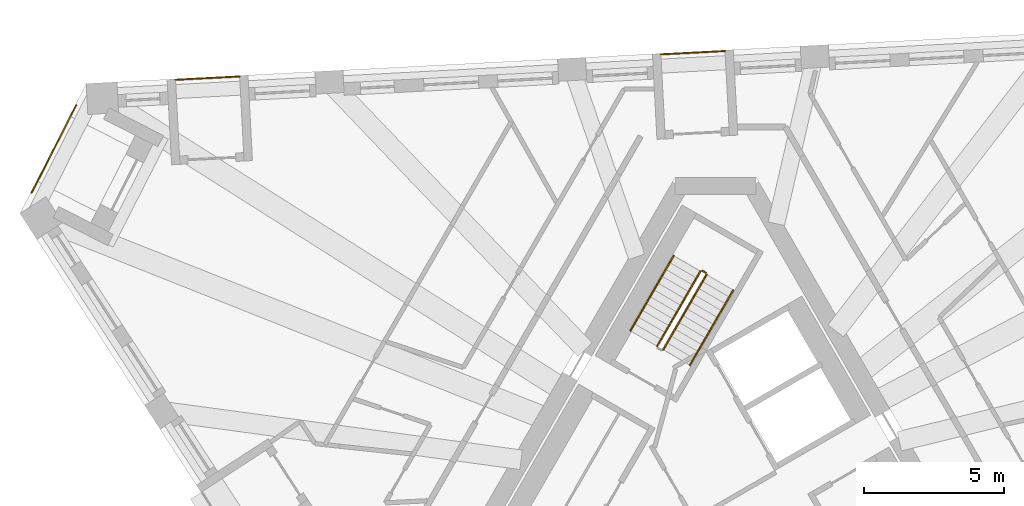
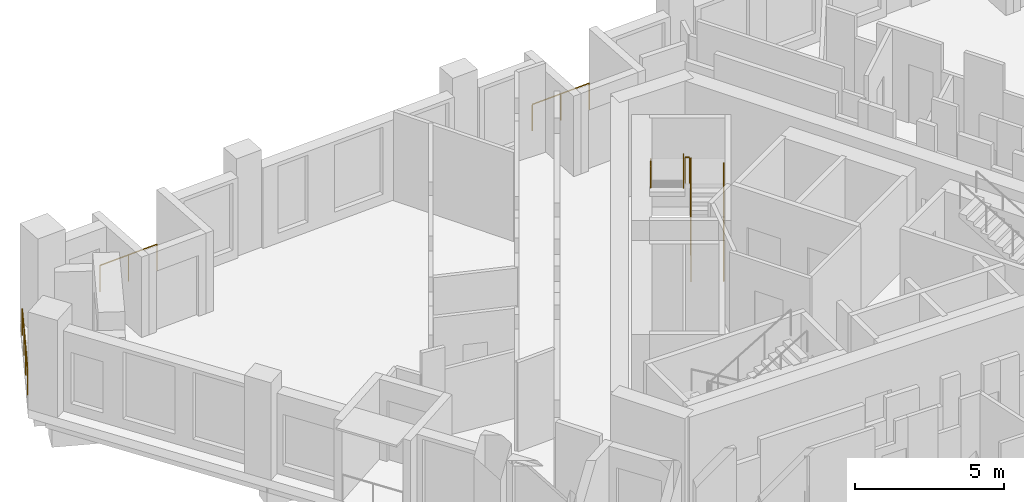
# One storey, part 11 of 12: 8 railings.
"""IFC4 building model written with IfcOpenShell, lengths in metres."""

from ifc_helpers import new_model, si_unit, direction, frame, origin, origin_2d, place, context, subcontext, project, spatial, circle, extrude, material, type_object, element, save


model = new_model("IFC4")

# Units and contexts
model_context = context("Model", 3, precision=1e-05, world=origin(), true_north=direction((0.0, 1.0)))
body_context = subcontext(model_context, "Body", "Model", "MODEL_VIEW")
ifc_project = project(units=[si_unit("LENGTHUNIT", "METRE"), si_unit("AREAUNIT", "SQUARE_METRE"), si_unit("VOLUMEUNIT", "CUBIC_METRE"), si_unit("PLANEANGLEUNIT", "RADIAN"), si_unit("MASSUNIT", "GRAM", prefix="KILO")], contexts=[model_context])

# Site, building, storey
site_placement = place(None, origin())
site = spatial("IfcSite", under=ifc_project, at=site_placement, CompositionType="ELEMENT")
building_placement = place(site_placement, origin())
building = spatial("IfcBuilding", under=site, at=building_placement, Name="Tramontana Tower", CompositionType="ELEMENT")
storey_placement = place(building_placement, frame((0.0, 0.0, 302.39990234375)))
storey = spatial("IfcBuildingStorey", under=building, at=storey_placement, Name="L71", CompositionType="ELEMENT", Elevation=302.39990234375)

# Railings
ifc_material_1 = material(Name="Laminated glass balustrade", Category="glass")
railing_type_1 = type_object("IfcRailingType", Name="GD1 Loggia glass balustrade 1100", PredefinedType="BALUSTRADE", material=ifc_material_1)
for number, where, name in (
    (1, (0.332275390625, 15.508544921875, 0.0), "Loggia balustrade L71 G7S2.7"),
    (2, (-16.964599609375, 14.60205078125, 0.0), "Loggia balustrade L71 G7S2.13"),
):
    element("IfcRailing", number, at=place(storey_placement, frame(where)), inside=storey, type_object=railing_type_1, Name=name, PredefinedType="BALUSTRADE", context=body_context, shape_type="SweptSolid", body=[
        extrude(circle(Radius=0.02392578125, at=origin_2d()), frame((0.0, 0.0, 1.076171875), z_axis=(-0.998630775221, -0.052312281362, 0.0), x_axis=(0.052312281362, -0.998630775221, 0.0)), (0.0, 0.0, 1.0), 2.286865234375),
        extrude(circle(Radius=0.02099609375, at=origin_2d()), origin(), (0.0, 0.0, 1.0), 1.052001953125),
        extrude(circle(Radius=0.02099609375, at=origin_2d()), frame((-1.141845703125, -0.059814453125, 0.0)), (0.0, 0.0, 1.0), 1.052001953125),
        extrude(circle(Radius=0.02099609375, at=origin_2d()), frame((-2.28369140625, -0.11962890625, 0.0)), (0.0, 0.0, 1.0), 1.052001953125),
    ])
railing_1_placement = place(storey_placement, frame((-24.37939453125, 10.457763671875, 0.0)))
element("IfcRailing", 3, at=railing_1_placement, inside=storey, type_object=railing_type_1, Name="Corner loggia balustrade L71 K70", PredefinedType="BALUSTRADE", context=body_context, shape_type="SweptSolid", body=[
    extrude(circle(Radius=0.02392578125, at=origin_2d()), frame((0.0, 0.0, 1.076171875), z_axis=(0.453952949021, 0.891025656238, 0.0), x_axis=(-0.891025656238, 0.453952949021, 0.0)), (0.0, 0.0, 1.0), 3.5),
    extrude(circle(Radius=0.02099609375, at=origin_2d()), origin(), (0.0, 0.0, 1.0), 1.052001953125),
    extrude(circle(Radius=0.02099609375, at=origin_2d()), frame((0.529541015625, 1.03955078125, 0.0)), (0.0, 0.0, 1.0), 1.052001953125),
    extrude(circle(Radius=0.02099609375, at=origin_2d()), frame((1.059326171875, 2.0791015625, 0.0)), (0.0, 0.0, 1.0), 1.052001953125),
    extrude(circle(Radius=0.02099609375, at=origin_2d()), frame((1.5888671875, 3.11865234375, 0.0)), (0.0, 0.0, 1.0), 1.052001953125),
])
ifc_material_2 = material(Name="Painted steel", Category="steel")
railing_type_2 = type_object("IfcRailingType", Name="STAIR GUARD 1100", PredefinedType="GUARDRAIL", material=ifc_material_2)
railing_2_placement = place(storey_placement, frame((-1.867431640625, 4.865478515625, 0.166748046875)))
element("IfcRailing", 4, at=railing_2_placement, inside=storey, type_object=railing_type_2, Name="L71 ST1 stair guard 1", PredefinedType="GUARDRAIL", context=body_context, shape_type="SweptSolid", body=[
    extrude(circle(Radius=0.02392578125, at=origin_2d()), frame((0.0, 0.0, 1.076171875), z_axis=(0.429649414936, 0.744189839504, 0.511451721109), x_axis=(-0.866029832698, 0.499992328818, 0.0)), (0.0, 0.0, 1.0), 3.58447265625),
    extrude(circle(Radius=0.02099609375, at=origin_2d()), origin(), (0.0, 0.0, 1.0), 1.052001953125),
    extrude(circle(Radius=0.02099609375, at=origin_2d()), frame((0.513427734375, 0.88916015625, 0.611083984375)), (0.0, 0.0, 1.0), 1.052001953125),
    extrude(circle(Radius=0.02099609375, at=origin_2d()), frame((1.026611328125, 1.7783203125, 1.22216796875)), (0.0, 0.0, 1.0), 1.052001953125),
    extrude(circle(Radius=0.02099609375, at=origin_2d()), frame((1.5400390625, 2.66748046875, 1.833251953125)), (0.0, 0.0, 1.0), 1.052001953125),
])
railing_3_placement = place(storey_placement, frame((-0.5439453125, 7.657958984375, 2.166748046875)))
element("IfcRailing", 5, at=railing_3_placement, inside=storey, type_object=railing_type_2, Name="L71 ST1 stair guard 2", PredefinedType="GUARDRAIL", context=body_context, shape_type="SweptSolid", body=[
    extrude(circle(Radius=0.02392578125, at=origin_2d()), frame((0.0, 0.0, 1.076171875), z_axis=(-0.429649414936, -0.744189839504, 0.511451721109), x_axis=(0.866029832698, -0.499992328818, 0.0)), (0.0, 0.0, 1.0), 3.58447265625),
    extrude(circle(Radius=0.02099609375, at=origin_2d()), origin(), (0.0, 0.0, 1.0), 1.052001953125),
    extrude(circle(Radius=0.02099609375, at=origin_2d()), frame((-0.513427734375, -0.88916015625, 0.611083984375)), (0.0, 0.0, 1.0), 1.052001953125),
    extrude(circle(Radius=0.02099609375, at=origin_2d()), frame((-1.026611328125, -1.7783203125, 1.22216796875)), (0.0, 0.0, 1.0), 1.052001953125),
    extrude(circle(Radius=0.02099609375, at=origin_2d()), frame((-1.5400390625, -2.66748046875, 1.833251953125)), (0.0, 0.0, 1.0), 1.052001953125),
])
railing_4_placement = place(storey_placement, frame((-0.345703125, 7.601318359375, 2.0)))
element("IfcRailing", 6, at=railing_4_placement, inside=storey, type_object=railing_type_2, Name="L71 ST1 stair guard 3", PredefinedType="GUARDRAIL", context=body_context, shape_type="SweptSolid", body=[
    extrude(circle(Radius=0.02392578125, at=origin_2d()), frame((0.0, 0.0, 1.076171875), z_axis=(-0.866131372301, 0.499816412211, 0.0), x_axis=(-0.499816412211, -0.866131372301, 0.0)), (0.0, 0.0, 1.0), 0.14990234375),
    extrude(circle(Radius=0.02099609375, at=origin_2d()), origin(), (0.0, 0.0, 1.0), 1.052001953125),
    extrude(circle(Radius=0.02099609375, at=origin_2d()), frame((-0.1298828125, 0.074951171875, 0.0)), (0.0, 0.0, 1.0), 1.052001953125),
])
ifc_material_3 = material(Name="Painted steel", Category="steel")
railing_type_3 = type_object("IfcRailingType", Name="STAIR HANDRAIL 900", PredefinedType="HANDRAIL", material=ifc_material_3)
railing_5_placement = place(storey_placement, frame((-0.914794921875, 4.315673828125, 0.166748046875)))
element("IfcRailing", 7, at=railing_5_placement, inside=storey, type_object=railing_type_3, Name="L71 ST1 stair handrail 1", PredefinedType="HANDRAIL", context=body_context, shape_type="SweptSolid", body=[
    extrude(circle(Radius=0.02392578125, at=origin_2d()), frame((0.0, 0.0, 0.8759765625), z_axis=(0.429671193721, 0.744159446956, 0.511477646425), x_axis=(-0.866010015463, 0.500026652407, 0.0)), (0.0, 0.0, 1.0), 3.584228515625),
    extrude(circle(Radius=0.02099609375, at=origin_2d()), origin(), (0.0, 0.0, 1.0), 0.851806640625),
    extrude(circle(Radius=0.02099609375, at=origin_2d()), frame((0.513427734375, 0.88916015625, 0.611083984375)), (0.0, 0.0, 1.0), 0.851806640625),
    extrude(circle(Radius=0.02099609375, at=origin_2d()), frame((1.026611328125, 1.778076171875, 1.22216796875)), (0.0, 0.0, 1.0), 0.851806640625),
    extrude(circle(Radius=0.02099609375, at=origin_2d()), frame((1.5400390625, 2.667236328125, 1.833251953125)), (0.0, 0.0, 1.0), 0.851806640625),
])
railing_6_placement = place(storey_placement, frame((-1.49658203125, 8.2080078125, 2.166748046875)))
element("IfcRailing", 8, at=railing_6_placement, inside=storey, type_object=railing_type_3, Name="L71 ST1 stair handrail 2", PredefinedType="HANDRAIL", context=body_context, shape_type="SweptSolid", body=[
    extrude(circle(Radius=0.02392578125, at=origin_2d()), frame((0.0, 0.0, 0.8759765625), z_axis=(-0.429649414936, -0.744189839504, 0.511451721109), x_axis=(0.866029832698, -0.499992328818, 0.0)), (0.0, 0.0, 1.0), 3.58447265625),
    extrude(circle(Radius=0.02099609375, at=origin_2d()), origin(), (0.0, 0.0, 1.0), 0.851806640625),
    extrude(circle(Radius=0.02099609375, at=origin_2d()), frame((-0.513427734375, -0.88916015625, 0.611083984375)), (0.0, 0.0, 1.0), 0.851806640625),
    extrude(circle(Radius=0.02099609375, at=origin_2d()), frame((-1.026611328125, -1.7783203125, 1.22216796875)), (0.0, 0.0, 1.0), 0.851806640625),
    extrude(circle(Radius=0.02099609375, at=origin_2d()), frame((-1.5400390625, -2.66748046875, 1.833251953125)), (0.0, 0.0, 1.0), 0.851806640625),
])

save(model, "model.ifc")
